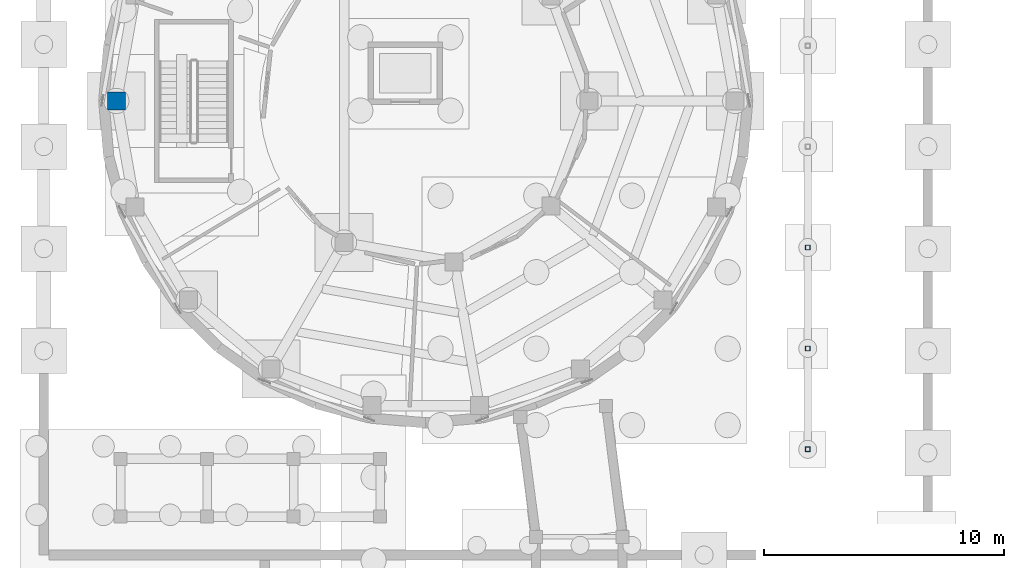
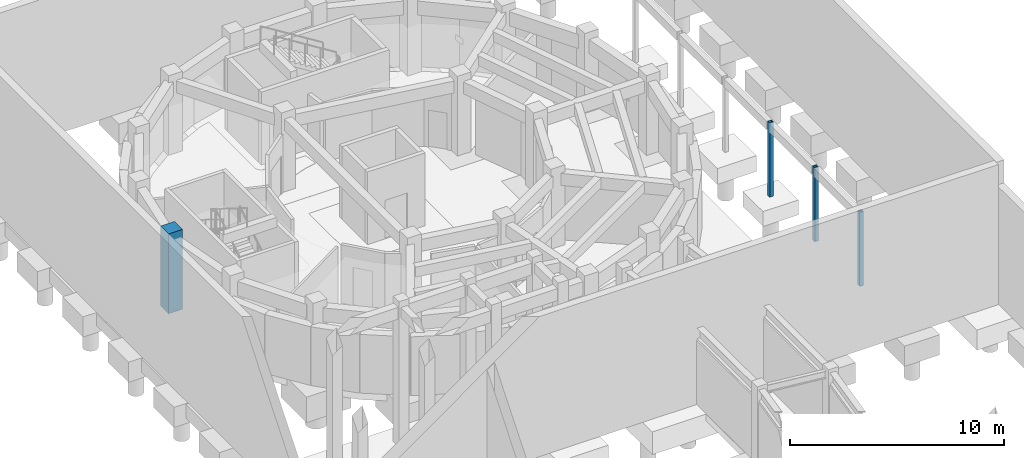
# One storey, part 11 of 57: 4 columns.
"""IFC4 building model written with IfcOpenShell, lengths in metres."""

from ifc_helpers import new_model, si_unit, direction, frame, origin, origin_2d, place, context, subcontext, project, spatial, rectangle, hollow_rectangle, extrude, material, material_profile, profile_set, type_object, element, save


model = new_model("IFC4")

# Units and contexts
model_context = context("Model", 3, precision=1e-05, world=origin(), true_north=direction((0.0, 1.0)))
body_context = subcontext(model_context, "Body", "Model", "MODEL_VIEW")
ifc_project = project(units=[si_unit("LENGTHUNIT", "METRE"), si_unit("AREAUNIT", "SQUARE_METRE"), si_unit("VOLUMEUNIT", "CUBIC_METRE"), si_unit("PLANEANGLEUNIT", "RADIAN"), si_unit("MASSUNIT", "GRAM", prefix="KILO")], contexts=[model_context])

# Site, building, storey
site_placement = place(None, origin())
site = spatial("IfcSite", under=ifc_project, at=site_placement, CompositionType="ELEMENT")
building_placement = place(site_placement, origin())
building = spatial("IfcBuilding", under=site, at=building_placement, Name="Aldenvaro Health Centre", CompositionType="ELEMENT")
storey_placement = place(building_placement, frame((0.0, 0.0, -4.550048828125)))
storey = spatial("IfcBuildingStorey", under=building, at=storey_placement, Name="B1", CompositionType="ELEMENT", Elevation=-4.550048828125)

# Columns
ifc_material_1 = material(Name="Concrete f'c 40 MPa", Category="concrete")
ifc_material_profile_1 = material_profile(ifc_material_1, rectangle(XDim=0.75, YDim=0.75, at=origin_2d()), Name="RC 750x750", Category="concrete")
ifc_profile_set_1 = profile_set([ifc_material_profile_1], Name="Concrete f'c 40 MPa")
column_type_1 = type_object("IfcColumnType", Name="COL-RC-750", PredefinedType="COLUMN", material=ifc_profile_set_1)
column_placement = place(storey_placement, frame((5.6201171875, 99.5, 0.0), z_axis=(0.0, 0.0, 1.0), x_axis=(1.0, 0.0, 0.0)))
element("IfcColumn", 1, at=column_placement, inside=storey, type_object=column_type_1, Name="D4 B1 column OUT-10", PredefinedType="COLUMN", context=body_context, shape_type="SweptSolid", body=[
    extrude(rectangle(XDim=0.75, YDim=0.75, at=origin_2d()), origin(), (0.0, 0.0, 1.0), 4.550048828125),
])
ifc_material_2 = material(Name="Steel ASTM A500 Grade C", Category="steel")
ifc_material_profile_2 = material_profile(ifc_material_2, hollow_rectangle(XDim=0.199951171875, YDim=0.199951171875, WallThickness=0.011962890625, at=origin_2d()), Name="HSS200X200X12", Category="steel")
ifc_profile_set_2 = profile_set([ifc_material_profile_2], Name="Steel ASTM A500 Grade C")
column_type_2 = type_object("IfcColumnType", Name="COL-ST-HSS200", PredefinedType="COLUMN", material=ifc_profile_set_2)
for number, where, z_axis, x_axis, name in (
    (2, (34.39990234375, 85.0, 0.0), (0.0, 0.0, 1.0), (1.0, 0.0, 0.0), "Garden Rond-Point Substructure Pier 1"),
    (3, (34.39990234375, 89.199951171875, 0.0), (0.0, 0.0, 1.0), (1.0, 0.0, 0.0), "Garden Rond-Point Substructure Pier 2"),
    (4, (34.39990234375, 93.39990234375, 0.0), (0.0, 0.0, 1.0), (1.0, 0.0, 0.0), "Garden Rond-Point Substructure Pier 3"),
):
    element("IfcColumn", number, at=place(storey_placement, frame(where, z_axis=z_axis, x_axis=x_axis)), inside=storey, type_object=column_type_2, Name=name, PredefinedType="COLUMN", context=body_context, shape_type="SweptSolid", body=[
        extrude(hollow_rectangle(XDim=0.199951171875, YDim=0.199951171875, WallThickness=0.011962890625, at=origin_2d()), origin(), (0.0, 0.0, 1.0), 4.22998046875),
    ])

save(model, "model.ifc")
